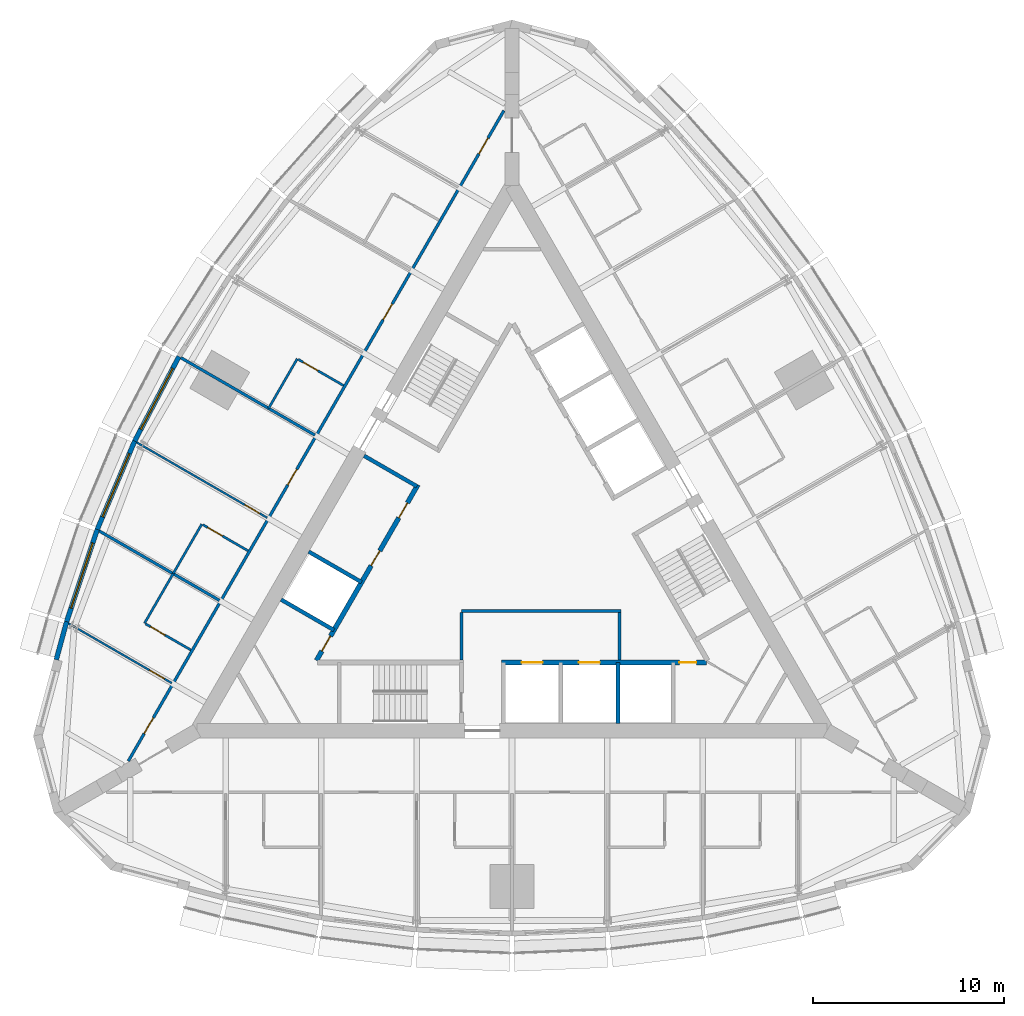
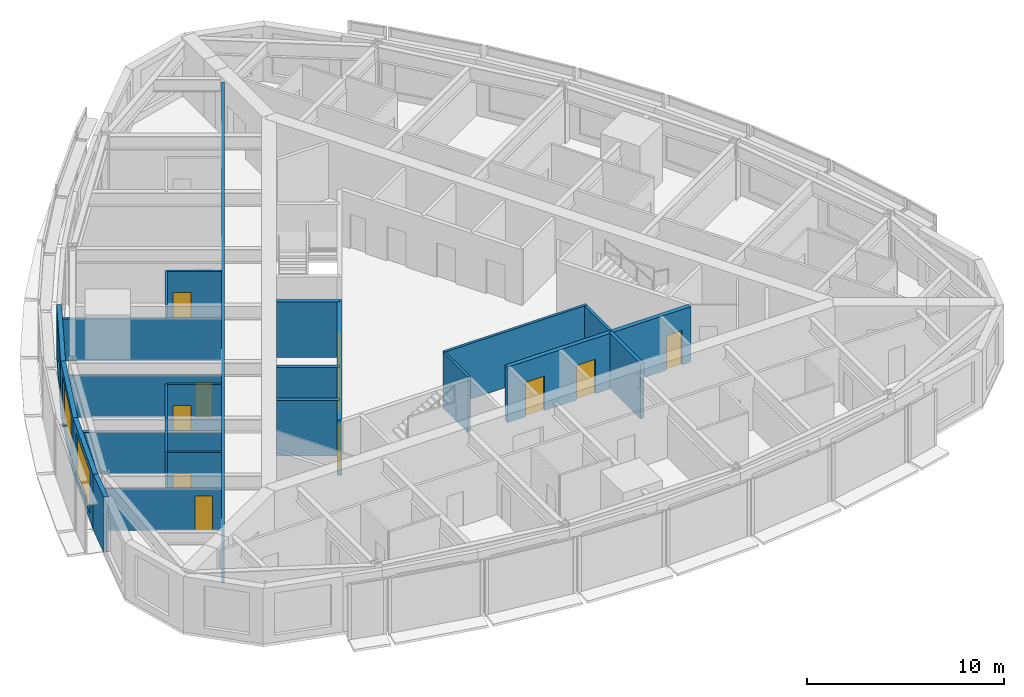
# One storey, part 10 of 15: 24 walls, 15 doors, 3 windows, 18 openings.
"""IFC4 building model written with IfcOpenShell, lengths in metres."""

import ifcopenshell
import ifcopenshell.guid

model = None  # the IFC model being written
_history = None  # IfcOwnerHistory: only IFC2X3 demands one
_inside = {}  # id of a spatial element -> (the spatial element, [elements in it])
_under = {}  # id of a project, library or spatial element -> (it, [spatial elements below it])
_declared = {}  # id of a project -> (the project, [libraries it declares])
_typed = {}  # id of a type object -> (the type object, [elements of that type])
_made_of = {}  # id of a material, layer set ... -> (it, [elements and type objects made of it])


def new_model(schema):
    """Start an empty IFC model of exactly this schema.

    Asked for "IFC4X3", IfcOpenShell would pick the latest addendum, in which some entities
    have other attributes; the version numbers below select the first issue.
    IFC2X3 requires an IfcOwnerHistory on every rooted entity: one is made here for all.
    """
    global model, _history
    if schema == "IFC4X3":
        model = ifcopenshell.file(schema_version=(4, 3, 0, 0))
    else:
        model = ifcopenshell.file(schema=schema)
    _inside.clear()
    _under.clear()
    _declared.clear()
    _typed.clear()
    _made_of.clear()
    _history = None
    if model.schema == "IFC2X3":
        org = make("IfcOrganization", Name="unknown")
        user = make(
            "IfcPersonAndOrganization",
            ThePerson=make("IfcPerson", FamilyName="unknown"),
            TheOrganization=org,
        )
        app = make(
            "IfcApplication",
            ApplicationDeveloper=org,
            Version="unknown",
            ApplicationFullName="unknown",
            ApplicationIdentifier="unknown",
        )
        _history = make(
            "IfcOwnerHistory",
            OwningUser=user,
            OwningApplication=app,
            ChangeAction="ADDED",
            CreationDate=0,
        )
    return model


def make(cls, **values):
    """One entity of the class cls with the attributes given. An attribute that is None is left unset."""
    return model.create_entity(
        cls, **{name: value for name, value in values.items() if value is not None}
    )


def rooted(cls, **values):
    """An entity with a GlobalId (a new one), such as an element, a storey or a relation."""
    return make(cls, GlobalId=ifcopenshell.guid.new(), OwnerHistory=_history, **values)


def si_unit(unit_type, name, prefix=None):
    """IfcSIUnit, for example si_unit("LENGTHUNIT", "METRE", prefix="MILLI")."""
    return make("IfcSIUnit", UnitType=unit_type, Prefix=prefix, Name=name)


def assignment(units):
    """IfcUnitAssignment: the units of a project."""
    return None if units is None else make("IfcUnitAssignment", Units=units)


def point(xyz):
    """IfcCartesianPoint."""
    return None if xyz is None else make("IfcCartesianPoint", Coordinates=xyz)


def direction(xyz):
    """IfcDirection."""
    return None if xyz is None else make("IfcDirection", DirectionRatios=xyz)


def frame(location, z_axis=None, x_axis=None):
    """IfcAxis2Placement3D, a coordinate frame: its origin and axes. An axis left out is left unset."""
    return make(
        "IfcAxis2Placement3D",
        Location=point(location),
        Axis=direction(z_axis),
        RefDirection=direction(x_axis),
    )


def frame_2d(location, x_axis=None):
    """IfcAxis2Placement2D, a coordinate frame in the plane: its origin and x axis."""
    return make(
        "IfcAxis2Placement2D", Location=point(location), RefDirection=direction(x_axis)
    )


def origin():
    """The frame at (0, 0, 0) with its axes left unset."""
    return frame((0.0, 0.0, 0.0))


def place(relative_to, where):
    """IfcLocalPlacement: puts the frame where relative to a parent placement (None: the world)."""
    return make(
        "IfcLocalPlacement", PlacementRelTo=relative_to, RelativePlacement=where
    )


def context(
    kind, dimensions, precision=None, world=None, true_north=None, identifier=None
):
    """IfcGeometricRepresentationContext, for example the 3D "Model" context."""
    return make(
        "IfcGeometricRepresentationContext",
        ContextIdentifier=identifier,
        ContextType=kind,
        CoordinateSpaceDimension=dimensions,
        Precision=precision,
        WorldCoordinateSystem=world,
        TrueNorth=true_north,
    )


def subcontext(parent, identifier, kind, view, scale=None):
    """IfcGeometricRepresentationSubContext, for example "Body" below "Model"."""
    return make(
        "IfcGeometricRepresentationSubContext",
        ContextIdentifier=identifier,
        ContextType=kind,
        ParentContext=parent,
        TargetScale=scale,
        TargetView=view,
    )


def project(units=None, contexts=None):
    """IfcProject with its units and contexts."""
    return rooted(
        "IfcProject",
        Name="project",
        RepresentationContexts=contexts,
        UnitsInContext=assignment(units),
    )


def spatial(cls, under=None, at=None, **own):
    """A site, building, storey or space (cls), placed at a placement, below another one or the project."""
    s = rooted(cls, ObjectPlacement=at, **own)
    if under is not None:
        _under.setdefault(under.id(), (under, []))[1].append(s)
    return s


def profile(cls, at=None, kind="AREA", **sizes):
    """A parametric profile (cls). Its sizes go by their IFC names, for example OverallWidth=200.0."""
    return make(cls, ProfileType=kind, Position=at, **sizes)


def rectangle(**sizes):
    """IfcRectangleProfileDef."""
    return profile("IfcRectangleProfileDef", **sizes)


def extrude(swept, where, along, depth):
    """IfcExtrudedAreaSolid: the profile swept, set in the frame where, extruded along a direction by depth."""
    return make(
        "IfcExtrudedAreaSolid",
        SweptArea=swept,
        Position=where,
        ExtrudedDirection=direction(along),
        Depth=depth,
    )


def shape(context_of_items, identifier, shape_type, items):
    """IfcShapeRepresentation: the items that make up one representation, for example the "Body"."""
    return make(
        "IfcShapeRepresentation",
        ContextOfItems=context_of_items,
        RepresentationIdentifier=identifier,
        RepresentationType=shape_type,
        Items=items,
    )


def material(Name=None, Category=None):
    """IfcMaterial."""
    return make("IfcMaterial", Name=Name, Category=Category)


def layer(
    of_material, thickness, ventilated=None, Name=None, Category=None, Priority=None
):
    """IfcMaterialLayer: one layer of a wall or slab, of a material (None: an air gap)."""
    return make(
        "IfcMaterialLayer",
        Material=of_material,
        LayerThickness=thickness,
        IsVentilated=ventilated,
        Name=Name,
        Category=Category,
        Priority=Priority,
    )


def layer_set(layers, Name=None):
    """IfcMaterialLayerSet."""
    return make("IfcMaterialLayerSet", MaterialLayers=layers, LayerSetName=Name)


def made_of(thing, what):
    """Note that an element or type object is made of a material, layer set ...; save() writes the relation."""
    if what is not None:
        _made_of.setdefault(what.id(), (what, []))[1].append(thing)
    return thing


def type_object(cls, material=None, **own):
    """A type object (cls), such as IfcWallType, which elements share."""
    return made_of(rooted(cls, **own), material)


def element(
    cls,
    number,
    at=None,
    inside=None,
    cuts=None,
    type_object=None,
    material=None,
    context=None,
    identifier="Body",
    shape_type=None,
    held_by="IfcProductDefinitionShape",
    body=None,
    shapes=None,
    **own,
):
    """One element of the class cls, such as IfcWall. Its Tag is "e" and its number.

    at: its placement. inside: the storey or other place that contains it. cuts: it is an
    opening in that element (IfcRelVoidsElement). A single representation is given by context,
    identifier, shape_type and body (its items); several are given by shapes. held_by: the class
    of the entity that holds the representations. save() writes the other relations.
    """
    e = rooted(cls, Tag="e%d" % number, ObjectPlacement=at, **own)
    if body is not None:
        shapes = [shape(context, identifier, shape_type, body)]
    if shapes is not None:
        e.Representation = make(held_by, Representations=shapes)
    if inside is not None:
        _inside.setdefault(inside.id(), (inside, []))[1].append(e)
    if cuts is not None:
        rooted(
            "IfcRelVoidsElement", RelatingBuildingElement=cuts, RelatedOpeningElement=e
        )
    if type_object is not None:
        _typed.setdefault(type_object.id(), (type_object, []))[1].append(e)
    return made_of(e, material)


def fill(opening, filler):
    """IfcRelFillsElement: the door or window that sits in an opening."""
    return rooted(
        "IfcRelFillsElement",
        RelatingOpeningElement=opening,
        RelatedBuildingElement=filler,
    )


def aggregate(whole, parts):
    """IfcRelAggregates: a whole, such as a stair, and the parts it consists of."""
    return rooted("IfcRelAggregates", RelatingObject=whole, RelatedObjects=parts)


def save(model, path):
    """Write the relations noted so far, then the file.

    IfcRelAggregates (storeys below a building ...), IfcRelContainedInSpatialStructure (elements
    in a storey), IfcRelDefinesByType, IfcRelAssociatesMaterial and IfcRelDeclares: one each for
    every whole, place, type object, material and project.
    """
    for whole, parts in _under.values():
        aggregate(whole, parts)
    for where, things in _inside.values():
        rooted(
            "IfcRelContainedInSpatialStructure",
            RelatedElements=things,
            RelatingStructure=where,
        )
    for kind, things in _typed.values():
        rooted("IfcRelDefinesByType", RelatedObjects=things, RelatingType=kind)
    for what, things in _made_of.values():
        rooted("IfcRelAssociatesMaterial", RelatedObjects=things, RelatingMaterial=what)
    for by, libraries in _declared.values():
        rooted("IfcRelDeclares", RelatingContext=by, RelatedDefinitions=libraries)
    model.write(path)


model = new_model("IFC4")

# Units and contexts
model_context = context("Model", 3, precision=1e-05, world=origin(), true_north=direction((0.0, 1.0)))
body_context = subcontext(model_context, "Body", "Model", "MODEL_VIEW")
ifc_project = project(units=[si_unit("LENGTHUNIT", "METRE"), si_unit("AREAUNIT", "SQUARE_METRE"), si_unit("VOLUMEUNIT", "CUBIC_METRE"), si_unit("PLANEANGLEUNIT", "RADIAN"), si_unit("MASSUNIT", "GRAM", prefix="KILO")], contexts=[model_context])

# Site, building, storey
site_placement = place(None, origin())
site = spatial("IfcSite", under=ifc_project, at=site_placement, CompositionType="ELEMENT")
building_placement = place(site_placement, origin())
building = spatial("IfcBuilding", under=site, at=building_placement, Name="Trikona Tower", CompositionType="ELEMENT")
storey_placement = place(building_placement, frame((0.0, 0.0, 222.5)))
storey = spatial("IfcBuildingStorey", under=building, at=storey_placement, Name="L59", CompositionType="ELEMENT", Elevation=222.5)

# Wall
ifc_material_1 = material(Name="Metal stud and cement board", Category="gypsum")
ifc_layer_1 = layer(ifc_material_1, 0.1201171875)
ifc_layer_set_1 = layer_set([ifc_layer_1], Name="Bathroom wall 120")
wall_type_1 = type_object("IfcWallType", Name="Bathroom wall 120", PredefinedType="PLUMBINGWALL", material=ifc_layer_set_1)
wall_1_placement = place(storey_placement, frame((-11.25341796875, 9.961181640625, 0.0), z_axis=(0.0, 0.0, 1.0), x_axis=(-0.499990139034, -0.866031096941, 0.0)))
element("IfcWall", 1, at=wall_1_placement, inside=storey, type_object=wall_type_1, Name="Bathroom wall 5910.1", PredefinedType="PLUMBINGWALL", context=body_context, shape_type="SweptSolid", body=[
    extrude(rectangle(XDim=3.0, YDim=0.1201171875, at=frame_2d((1.5, 0.0))), origin(), (0.0, 0.0, 1.0), 3.43505859375),
])

# Wall, opening, door
wall_2_placement = place(storey_placement, frame((-8.82861328125, 8.561279296875, 0.0), z_axis=(0.0, 0.0, 1.0), x_axis=(-0.866035715982, 0.499982138324, 0.0)))
wall_2 = element("IfcWall", 2, at=wall_2_placement, inside=storey, type_object=wall_type_1, Name="Bathroom wall 5910.1", PredefinedType="PLUMBINGWALL", context=body_context, shape_type="SweptSolid", body=[
    extrude(rectangle(XDim=2.73974609375, YDim=0.1201171875, at=frame_2d((1.369873046875, 0.0))), origin(), (0.0, 0.0, 1.0), 3.43505859375),
])
opening_1_placement = place(wall_2_placement, frame((1.550048828125, 0.0, 0.0)))
opening_1 = element("IfcOpeningElement", 3, at=opening_1_placement, cuts=wall_2, Name="Opening D2", PredefinedType="OPENING", context=body_context, shape_type="SweptSolid", body=[
    extrude(rectangle(XDim=0.89990234375, YDim=2.1298828125, at=frame_2d((0.449951171875, 1.06494140625))), frame((0.0, 0.070068359375, 0.0), z_axis=(0.0, -1.0, 0.0), x_axis=(1.0, 0.0, 0.0)), (0.0, 0.0, 1.0), 0.14013671875),
])
ifc_material_2 = material(Name="Steel door frame with solid-core timber leaf", Category="steel")
door_type_1 = type_object("IfcDoorType", Name="Bathroom door 900x2130", OperationType="SLIDING_TO_LEFT", PredefinedType="DOOR", material=ifc_material_2)
door_1_placement = place(opening_1_placement, origin())
door_1 = element("IfcDoor", 4, at=door_1_placement, inside=storey, type_object=door_type_1, Name="Bathroom door 5910.1", OperationType="SLIDING_TO_LEFT", OverallHeight=2.1298828125, OverallWidth=0.89990234375, PredefinedType="DOOR", context=body_context, shape_type="SweptSolid", body=[
    extrude(rectangle(XDim=0.89990234375, YDim=2.1298828125, at=frame_2d((0.449951171875, 1.06494140625))), frame((0.0, 0.02490234375, 0.0), z_axis=(0.0, -1.0, 0.0), x_axis=(1.0, 0.0, 0.0)), (0.0, 0.0, 1.0), 0.050048828125),
])
fill(opening_1, door_1)

# Wall
wall_3_placement = place(storey_placement, frame((-16.25341796875, 1.301025390625, 0.0), z_axis=(0.0, 0.0, 1.0), x_axis=(-0.499990139034, -0.866031096941, 0.0)))
element("IfcWall", 5, at=wall_3_placement, inside=storey, type_object=wall_type_1, Name="Bathroom wall 5911.1", PredefinedType="PLUMBINGWALL", context=body_context, shape_type="SweptSolid", body=[
    extrude(rectangle(XDim=3.0, YDim=0.1201171875, at=frame_2d((1.5, 0.0))), origin(), (0.0, 0.0, 1.0), 3.43505859375),
])

# Wall, opening, door
wall_4_placement = place(storey_placement, frame((-13.82861328125, -0.09912109375, 0.0), z_axis=(0.0, 0.0, 1.0), x_axis=(-0.865997131366, 0.500048966069, 0.0)))
wall_4 = element("IfcWall", 6, at=wall_4_placement, inside=storey, type_object=wall_type_1, Name="Bathroom wall 5911.1", PredefinedType="PLUMBINGWALL", context=body_context, shape_type="SweptSolid", body=[
    extrude(rectangle(XDim=2.739990234375, YDim=0.1201171875, at=frame_2d((1.3701171875, 0.0))), origin(), (0.0, 0.0, 1.0), 3.43505859375),
])
opening_2_placement = place(wall_4_placement, frame((1.550048828125, 0.0, 0.0)))
opening_2 = element("IfcOpeningElement", 7, at=opening_2_placement, cuts=wall_4, Name="Opening D2", PredefinedType="OPENING", context=body_context, shape_type="SweptSolid", body=[
    extrude(rectangle(XDim=0.89990234375, YDim=2.1298828125, at=frame_2d((0.449951171875, 1.06494140625))), frame((0.0, 0.070068359375, 0.0), z_axis=(0.0, -1.0, 0.0), x_axis=(1.0, 0.0, 0.0)), (0.0, 0.0, 1.0), 0.14013671875),
])
door_2_placement = place(opening_2_placement, origin())
door_2 = element("IfcDoor", 8, at=door_2_placement, inside=storey, type_object=door_type_1, Name="Bathroom door 5911.1", OperationType="SLIDING_TO_LEFT", OverallHeight=2.1298828125, OverallWidth=0.89990234375, PredefinedType="DOOR", context=body_context, shape_type="SweptSolid", body=[
    extrude(rectangle(XDim=0.89990234375, YDim=2.1298828125, at=frame_2d((0.449951171875, 1.06494140625))), frame((0.0, 0.02490234375, 0.0), z_axis=(0.0, -1.0, 0.0), x_axis=(1.0, 0.0, 0.0)), (0.0, 0.0, 1.0), 0.050048828125),
])
fill(opening_2, door_2)

# Wall
wall_5_placement = place(storey_placement, frame((-17.75341796875, -1.297119140625, 0.0), z_axis=(0.0, 0.0, 1.0), x_axis=(-0.499990139034, -0.866031096941, 0.0)))
element("IfcWall", 9, at=wall_5_placement, inside=storey, type_object=wall_type_1, Name="Bathroom wall 5912.1", PredefinedType="PLUMBINGWALL", context=body_context, shape_type="SweptSolid", body=[
    extrude(rectangle(XDim=3.0, YDim=0.1201171875, at=frame_2d((1.5, 0.0))), origin(), (0.0, 0.0, 1.0), 3.43505859375),
])

# Wall, opening, door
wall_6_placement = place(storey_placement, frame((-16.82861328125, -5.295166015625, 0.0), z_axis=(0.0, 0.0, 1.0), x_axis=(-0.866035715982, 0.499982138324, 0.0)))
wall_6 = element("IfcWall", 10, at=wall_6_placement, inside=storey, type_object=wall_type_1, Name="Bathroom wall 5912.1", PredefinedType="PLUMBINGWALL", context=body_context, shape_type="SweptSolid", body=[
    extrude(rectangle(XDim=2.73974609375, YDim=0.1201171875, at=frame_2d((1.369873046875, 0.0))), origin(), (0.0, 0.0, 1.0), 3.43505859375),
])
opening_3_placement = place(wall_6_placement, frame((1.550048828125, 0.0, 0.0)))
opening_3 = element("IfcOpeningElement", 11, at=opening_3_placement, cuts=wall_6, Name="Opening D2", PredefinedType="OPENING", context=body_context, shape_type="SweptSolid", body=[
    extrude(rectangle(XDim=0.89990234375, YDim=2.1298828125, at=frame_2d((0.449951171875, 1.06494140625))), frame((0.0, 0.070068359375, 0.0), z_axis=(0.0, -1.0, 0.0), x_axis=(1.0, 0.0, 0.0)), (0.0, 0.0, 1.0), 0.14013671875),
])
door_3_placement = place(opening_3_placement, origin())
door_3 = element("IfcDoor", 12, at=door_3_placement, inside=storey, type_object=door_type_1, Name="Bathroom door 5912.1", OperationType="SLIDING_TO_LEFT", OverallHeight=2.1298828125, OverallWidth=0.89990234375, PredefinedType="DOOR", context=body_context, shape_type="SweptSolid", body=[
    extrude(rectangle(XDim=0.89990234375, YDim=2.1298828125, at=frame_2d((0.449951171875, 1.06494140625))), frame((0.0, 0.02490234375, 0.0), z_axis=(0.0, -1.0, 0.0), x_axis=(1.0, 0.0, 0.0)), (0.0, 0.0, 1.0), 0.050048828125),
])
fill(opening_3, door_3)

# Wall, openings, doors
ifc_material_3 = material(Name="Metal stud and gypsum board, 1-hour", Category="gypsum")
ifc_layer_2 = layer(ifc_material_3, 0.14990234375)
ifc_layer_set_2 = layer_set([ifc_layer_2], Name="Corridor wall 150")
wall_type_2 = type_object("IfcWallType", Name="Corridor wall 150", PredefinedType="PARTITIONING", material=ifc_layer_set_2)
wall_7_placement = place(storey_placement, frame((-0.425048828125, 22.96630859375, 0.0), z_axis=(0.0, 0.0, 1.0), x_axis=(-0.500000265775, -0.866025250339, 0.0)))
wall_7 = element("IfcWall", 13, at=wall_7_placement, inside=storey, type_object=wall_type_2, Name="Corridor wall L59-3", PredefinedType="PARTITIONING", context=body_context, shape_type="SweptSolid", body=[
    extrude(rectangle(XDim=39.35400390625, YDim=0.14990234375, at=frame_2d((19.677001953125, 0.0))), origin(), (0.0, 0.0, 1.0), 3.43505859375),
])
opening_4_placement = place(wall_7_placement, frame((1.6650390625, 0.0, 0.0)))
opening_4 = element("IfcOpeningElement", 14, at=opening_4_placement, cuts=wall_7, Name="Opening D1", PredefinedType="OPENING", context=body_context, shape_type="SweptSolid", body=[
    extrude(rectangle(XDim=0.949951171875, YDim=2.1298828125, at=frame_2d((0.47509765625, 1.06494140625))), frame((0.0, 0.0849609375, 0.0), z_axis=(0.0, -1.0, 0.0), x_axis=(1.0, 0.0, 0.0)), (0.0, 0.0, 1.0), 0.169921875),
])
opening_5_placement = place(wall_7_placement, frame((11.701904296875, 0.0, 0.0)))
opening_5 = element("IfcOpeningElement", 15, at=opening_5_placement, cuts=wall_7, Name="Opening D1", PredefinedType="OPENING", context=body_context, shape_type="SweptSolid", body=[
    extrude(rectangle(XDim=0.949951171875, YDim=2.1298828125, at=frame_2d((0.47509765625, 1.06494140625))), frame((0.0, 0.0849609375, 0.0), z_axis=(0.0, -1.0, 0.0), x_axis=(1.0, 0.0, 0.0)), (0.0, 0.0, 1.0), 0.169921875),
])
opening_6_placement = place(wall_7_placement, frame((21.701904296875, 0.0, 0.0)))
opening_6 = element("IfcOpeningElement", 16, at=opening_6_placement, cuts=wall_7, Name="Opening D1", PredefinedType="OPENING", context=body_context, shape_type="SweptSolid", body=[
    extrude(rectangle(XDim=0.949951171875, YDim=2.1298828125, at=frame_2d((0.47509765625, 1.06494140625))), frame((0.0, 0.0849609375, 0.0), z_axis=(0.0, -1.0, 0.0), x_axis=(1.0, 0.0, 0.0)), (0.0, 0.0, 1.0), 0.169921875),
])
opening_7_placement = place(wall_7_placement, frame((36.739013671875, 0.0, 0.0)))
opening_7 = element("IfcOpeningElement", 17, at=opening_7_placement, cuts=wall_7, Name="Opening D1", PredefinedType="OPENING", context=body_context, shape_type="SweptSolid", body=[
    extrude(rectangle(XDim=0.949951171875, YDim=2.1298828125, at=frame_2d((0.47509765625, 1.06494140625))), frame((0.0, 0.0849609375, 0.0), z_axis=(0.0, -1.0, 0.0), x_axis=(1.0, 0.0, 0.0)), (0.0, 0.0, 1.0), 0.169921875),
])
ifc_material_4 = material(Name="Steel door frame with solid-core timber leaf", Category="steel")
door_type_2 = type_object("IfcDoorType", Name="Guest room door 950x2130", OperationType="SINGLE_SWING_LEFT", PredefinedType="DOOR", material=ifc_material_4)
door_4_placement = place(opening_4_placement, origin())
door_4 = element("IfcDoor", 18, at=door_4_placement, inside=storey, type_object=door_type_2, Name="Room door 5909", OperationType="SINGLE_SWING_LEFT", OverallHeight=2.1298828125, OverallWidth=0.949951171875, PredefinedType="DOOR", context=body_context, shape_type="SweptSolid", body=[
    extrude(rectangle(XDim=0.949951171875, YDim=2.1298828125, at=frame_2d((0.47509765625, 1.06494140625))), frame((0.0, 0.02490234375, 0.0), z_axis=(0.0, -1.0, 0.0), x_axis=(1.0, 0.0, 0.0)), (0.0, 0.0, 1.0), 0.050048828125),
])
fill(opening_4, door_4)
door_5_placement = place(opening_5_placement, origin())
door_5 = element("IfcDoor", 19, at=door_5_placement, inside=storey, type_object=door_type_2, Name="Room door 5910", OperationType="SINGLE_SWING_RIGHT", OverallHeight=2.1298828125, OverallWidth=0.949951171875, PredefinedType="DOOR", context=body_context, shape_type="SweptSolid", body=[
    extrude(rectangle(XDim=0.949951171875, YDim=2.1298828125, at=frame_2d((0.47509765625, 1.06494140625))), frame((0.0, 0.02490234375, 0.0), z_axis=(0.0, -1.0, 0.0), x_axis=(1.0, 0.0, 0.0)), (0.0, 0.0, 1.0), 0.050048828125),
])
fill(opening_5, door_5)
door_6_placement = place(opening_6_placement, origin())
door_6 = element("IfcDoor", 20, at=door_6_placement, inside=storey, type_object=door_type_2, Name="Room door 5911", OperationType="SINGLE_SWING_LEFT", OverallHeight=2.1298828125, OverallWidth=0.949951171875, PredefinedType="DOOR", context=body_context, shape_type="SweptSolid", body=[
    extrude(rectangle(XDim=0.949951171875, YDim=2.1298828125, at=frame_2d((0.47509765625, 1.06494140625))), frame((0.0, 0.02490234375, 0.0), z_axis=(0.0, -1.0, 0.0), x_axis=(1.0, 0.0, 0.0)), (0.0, 0.0, 1.0), 0.050048828125),
])
fill(opening_6, door_6)
door_7_placement = place(opening_7_placement, origin())
door_7 = element("IfcDoor", 21, at=door_7_placement, inside=storey, type_object=door_type_2, Name="Room door 5912", OperationType="SINGLE_SWING_RIGHT", OverallHeight=2.1298828125, OverallWidth=0.949951171875, PredefinedType="DOOR", context=body_context, shape_type="SweptSolid", body=[
    extrude(rectangle(XDim=0.949951171875, YDim=2.1298828125, at=frame_2d((0.47509765625, 1.06494140625))), frame((0.0, 0.02490234375, 0.0), z_axis=(0.0, -1.0, 0.0), x_axis=(1.0, 0.0, 0.0)), (0.0, 0.0, 1.0), 0.050048828125),
])
fill(opening_7, door_7)

ifc_material_5 = material(Name="Concrete f'c 8000 psi", Category="concrete")
ifc_layer_3 = layer(ifc_material_5, 0.25)
ifc_layer_set_3 = layer_set([ifc_layer_3], Name="Hub wall 250")
wall_type_3 = type_object("IfcWallType", Name="Hub wall 250", PredefinedType="SOLIDWALL", material=ifc_layer_set_3)
wall_8_placement = place(storey_placement, frame((-0.550048828125, -5.951416015625, 0.0), z_axis=(0.0, 0.0, 1.0), x_axis=(1.0, 0.0, 0.0)))
wall_8 = element("IfcWall", 22, at=wall_8_placement, inside=storey, type_object=wall_type_3, Name="Lift lobby wall A2", PredefinedType="SOLIDWALL", context=body_context, shape_type="SweptSolid", body=[
    extrude(rectangle(XDim=10.73291015625, YDim=0.25, at=frame_2d((5.366455078125, 0.0))), origin(), (0.0, 0.0, 1.0), 3.43505859375),
])
opening_8_placement = place(wall_8_placement, frame((9.31396484375, 0.0, 0.0)))
opening_8 = element("IfcOpeningElement", 23, at=opening_8_placement, cuts=wall_8, Name="Opening D14", PredefinedType="OPENING", context=body_context, shape_type="SweptSolid", body=[
    extrude(rectangle(XDim=0.89990234375, YDim=2.1298828125, at=frame_2d((0.449951171875, 1.06494140625))), frame((0.0, 0.135009765625, 0.0), z_axis=(0.0, -1.0, 0.0), x_axis=(1.0, 0.0, 0.0)), (0.0, 0.0, 1.0), 0.27001953125),
])
opening_9_placement = place(wall_8_placement, frame((1.050048828125, 0.0, 0.0)))
opening_9 = element("IfcOpeningElement", 24, at=opening_9_placement, cuts=wall_8, Name="Opening LD", PredefinedType="OPENING", context=body_context, shape_type="SweptSolid", body=[
    extrude(rectangle(XDim=1.10009765625, YDim=2.1298828125, at=frame_2d((0.550048828125, 1.06494140625))), frame((0.0, 0.135009765625, 0.0), z_axis=(0.0, -1.0, 0.0), x_axis=(1.0, 0.0, 0.0)), (0.0, 0.0, 1.0), 0.27001953125),
])
opening_10_placement = place(wall_8_placement, frame((4.050048828125, 0.0, 0.0)))
opening_10 = element("IfcOpeningElement", 25, at=opening_10_placement, cuts=wall_8, Name="Opening LD", PredefinedType="OPENING", context=body_context, shape_type="SweptSolid", body=[
    extrude(rectangle(XDim=1.10009765625, YDim=2.1298828125, at=frame_2d((0.550048828125, 1.06494140625))), frame((0.0, 0.135009765625, 0.0), z_axis=(0.0, -1.0, 0.0), x_axis=(1.0, 0.0, 0.0)), (0.0, 0.0, 1.0), 0.27001953125),
])
ifc_material_6 = material(Name="Stainless steel lift landing door", Category="steel")
door_type_3 = type_object("IfcDoorType", Name="Lift landing door 1100x2130", OperationType="DOUBLE_DOOR_SLIDING", PredefinedType="USERDEFINED", material=ifc_material_6)
door_8_placement = place(opening_9_placement, origin())
door_8 = element("IfcDoor", 26, at=door_8_placement, inside=storey, type_object=door_type_3, Name="Lift landing door FF1", ObjectType="LIFT LANDING DOOR", OperationType="DOUBLE_DOOR_SLIDING", OverallHeight=2.1298828125, OverallWidth=1.10009765625, PredefinedType="USERDEFINED", context=body_context, shape_type="SweptSolid", body=[
    extrude(rectangle(XDim=1.10009765625, YDim=2.1298828125, at=frame_2d((0.550048828125, 1.06494140625))), frame((0.0, 0.02490234375, 0.0), z_axis=(0.0, -1.0, 0.0), x_axis=(1.0, 0.0, 0.0)), (0.0, 0.0, 1.0), 0.050048828125),
])
fill(opening_9, door_8)
door_9_placement = place(opening_10_placement, origin())
door_9 = element("IfcDoor", 27, at=door_9_placement, inside=storey, type_object=door_type_3, Name="Lift landing door FF2", ObjectType="LIFT LANDING DOOR", OperationType="DOUBLE_DOOR_SLIDING", OverallHeight=2.1298828125, OverallWidth=1.10009765625, PredefinedType="USERDEFINED", context=body_context, shape_type="SweptSolid", body=[
    extrude(rectangle(XDim=1.10009765625, YDim=2.1298828125, at=frame_2d((0.550048828125, 1.06494140625))), frame((0.0, 0.02490234375, 0.0), z_axis=(0.0, -1.0, 0.0), x_axis=(1.0, 0.0, 0.0)), (0.0, 0.0, 1.0), 0.050048828125),
])
fill(opening_10, door_9)
ifc_material_7 = material(Name="Hollow metal door and frame", Category="steel")
door_type_4 = type_object("IfcDoorType", Name="Service room door 900x2130", OperationType="SINGLE_SWING_LEFT", PredefinedType="DOOR", material=ifc_material_7)
door_10_placement = place(opening_8_placement, origin())
door_10 = element("IfcDoor", 28, at=door_10_placement, inside=storey, type_object=door_type_4, Name="Door Linen store LIN", OperationType="SINGLE_SWING_RIGHT", OverallHeight=2.1298828125, OverallWidth=0.89990234375, PredefinedType="DOOR", context=body_context, shape_type="SweptSolid", body=[
    extrude(rectangle(XDim=0.89990234375, YDim=2.1298828125, at=frame_2d((0.449951171875, 1.06494140625))), frame((0.0, 0.02490234375, 0.0), z_axis=(0.0, -1.0, 0.0), x_axis=(1.0, 0.0, 0.0)), (0.0, 0.0, 1.0), 0.050048828125),
])
fill(opening_8, door_10)

wall_9_placement = place(storey_placement, frame((-4.928955078125, 3.365478515625, 0.0), z_axis=(0.0, 0.0, 1.0), x_axis=(-0.499991433582, -0.866030349552, 0.0)))
wall_9 = element("IfcWall", 29, at=wall_9_placement, inside=storey, type_object=wall_type_3, Name="Lift lobby wall C2", PredefinedType="SOLIDWALL", context=body_context, shape_type="SweptSolid", body=[
    extrude(rectangle(XDim=10.633056640625, YDim=0.25, at=frame_2d((5.31640625, 0.0))), origin(), (0.0, 0.0, 1.0), 3.43505859375),
])
opening_11_placement = place(wall_9_placement, frame((9.1640625, 0.0, 0.0)))
opening_11 = element("IfcOpeningElement", 30, at=opening_11_placement, cuts=wall_9, Name="Opening D14", PredefinedType="OPENING", context=body_context, shape_type="SweptSolid", body=[
    extrude(rectangle(XDim=0.89990234375, YDim=2.1298828125, at=frame_2d((0.449951171875, 1.06494140625))), frame((0.0, 0.135009765625, 0.0), z_axis=(0.0, -1.0, 0.0), x_axis=(1.0, 0.0, 0.0)), (0.0, 0.0, 1.0), 0.27001953125),
])
opening_12_placement = place(wall_9_placement, frame((1.10009765625, 0.0, 0.0)))
opening_12 = element("IfcOpeningElement", 31, at=opening_12_placement, cuts=wall_9, Name="Opening D14", PredefinedType="OPENING", context=body_context, shape_type="SweptSolid", body=[
    extrude(rectangle(XDim=0.89990234375, YDim=2.1298828125, at=frame_2d((0.449951171875, 1.06494140625))), frame((0.0, 0.135009765625, 0.0), z_axis=(0.0, -1.0, 0.0), x_axis=(1.0, 0.0, 0.0)), (0.0, 0.0, 1.0), 0.27001953125),
])
opening_13_placement = place(wall_9_placement, frame((4.0, 0.0, 0.0)))
opening_13 = element("IfcOpeningElement", 32, at=opening_13_placement, cuts=wall_9, Name="Opening D14", PredefinedType="OPENING", context=body_context, shape_type="SweptSolid", body=[
    extrude(rectangle(XDim=0.89990234375, YDim=2.1298828125, at=frame_2d((0.449951171875, 1.06494140625))), frame((0.0, 0.135009765625, 0.0), z_axis=(0.0, -1.0, 0.0), x_axis=(1.0, 0.0, 0.0)), (0.0, 0.0, 1.0), 0.27001953125),
])
door_11_placement = place(opening_11_placement, origin())
door_11 = element("IfcDoor", 33, at=door_11_placement, inside=storey, type_object=door_type_4, Name="Door Ice and vending ICE", OperationType="SINGLE_SWING_RIGHT", OverallHeight=2.1298828125, OverallWidth=0.89990234375, PredefinedType="DOOR", context=body_context, shape_type="SweptSolid", body=[
    extrude(rectangle(XDim=0.89990234375, YDim=2.1298828125, at=frame_2d((0.449951171875, 1.06494140625))), frame((0.0, 0.02490234375, 0.0), z_axis=(0.0, -1.0, 0.0), x_axis=(1.0, 0.0, 0.0)), (0.0, 0.0, 1.0), 0.050048828125),
])
fill(opening_11, door_11)
door_12_placement = place(opening_12_placement, origin())
door_12 = element("IfcDoor", 34, at=door_12_placement, inside=storey, type_object=door_type_4, Name="Door Storage STO1", OperationType="SINGLE_SWING_LEFT", OverallHeight=2.1298828125, OverallWidth=0.89990234375, PredefinedType="DOOR", context=body_context, shape_type="SweptSolid", body=[
    extrude(rectangle(XDim=0.89990234375, YDim=2.1298828125, at=frame_2d((0.449951171875, 1.06494140625))), frame((0.0, 0.02490234375, 0.0), z_axis=(0.0, -1.0, 0.0), x_axis=(1.0, 0.0, 0.0)), (0.0, 0.0, 1.0), 0.050048828125),
])
fill(opening_12, door_12)
door_13_placement = place(opening_13_placement, origin())
door_13 = element("IfcDoor", 35, at=door_13_placement, inside=storey, type_object=door_type_4, Name="Door Storage STO1", OperationType="SINGLE_SWING_RIGHT", OverallHeight=2.1298828125, OverallWidth=0.89990234375, PredefinedType="DOOR", context=body_context, shape_type="SweptSolid", body=[
    extrude(rectangle(XDim=0.89990234375, YDim=2.1298828125, at=frame_2d((0.449951171875, 1.06494140625))), frame((0.0, 0.02490234375, 0.0), z_axis=(0.0, -1.0, 0.0), x_axis=(1.0, 0.0, 0.0)), (0.0, 0.0, 1.0), 0.050048828125),
])
fill(opening_13, door_13)

# Wall, opening, window
ifc_material_8 = material(Name="Insulated precast concrete spandrel panel", Category="concrete")
ifc_layer_4 = layer(ifc_material_8, 0.25)
ifc_layer_set_4 = layer_set([ifc_layer_4], Name="Inner skin wall 250")
wall_type_4 = type_object("IfcWallType", Name="Inner skin wall 250", PredefinedType="STANDARD", material=ifc_layer_set_4)
wall_10_placement = place(storey_placement, frame((-17.450439453125, 10.080810546875, 0.0), z_axis=(0.0, 0.0, 1.0), x_axis=(-0.463976002579, -0.885847768542, 0.0)))
wall_10 = element("IfcWall", 36, at=wall_10_placement, inside=storey, type_object=wall_type_4, Name="External wall L59-28", PredefinedType="STANDARD", context=body_context, shape_type="SweptSolid", body=[
    extrude(rectangle(XDim=5.004150390625, YDim=0.25, at=frame_2d((2.501953125, 0.0))), origin(), (0.0, 0.0, 1.0), 3.43505859375),
])
opening_14_placement = place(wall_10_placement, frame((0.7021484375, 0.0, 0.449951171875)))
opening_14 = element("IfcOpeningElement", 37, at=opening_14_placement, cuts=wall_10, Name="Opening W3626", PredefinedType="OPENING", context=body_context, shape_type="SweptSolid", body=[
    extrude(rectangle(XDim=3.60009765625, YDim=2.60009765625, at=frame_2d((1.800048828125, 1.300048828125))), frame((0.0, 0.135009765625, 0.0), z_axis=(0.0, -1.0, 0.0), x_axis=(1.0, 0.0, 0.0)), (0.0, 0.0, 1.0), 0.27001953125),
])
ifc_material_9 = material(Name="Aluminium-framed double glazing", Category="aluminium")
window_type = type_object("IfcWindowType", Name="Window 3600x2600", PartitioningType="SINGLE_PANEL", PredefinedType="WINDOW", material=ifc_material_9)
window_1_placement = place(opening_14_placement, origin())
window_1 = element("IfcWindow", 38, at=window_1_placement, inside=storey, type_object=window_type, Name="Window 5911", OverallHeight=2.60009765625, OverallWidth=3.60009765625, PartitioningType="SINGLE_PANEL", PredefinedType="WINDOW", context=body_context, shape_type="SweptSolid", body=[
    extrude(rectangle(XDim=3.60009765625, YDim=2.60009765625, at=frame_2d((1.800048828125, 1.300048828125))), frame((0.0, 0.030029296875, 0.0), z_axis=(0.0, -1.0, 0.0), x_axis=(1.0, 0.0, 0.0)), (0.0, 0.0, 1.0), 0.06005859375),
])
fill(opening_14, window_1)

wall_11_placement = place(storey_placement, frame((-19.767578125, 5.656982421875, 0.0), z_axis=(0.0, 0.0, 1.0), x_axis=(-0.390096809471, -0.920773848044, 0.0)))
wall_11 = element("IfcWall", 39, at=wall_11_placement, inside=storey, type_object=wall_type_4, Name="External wall L59-29", PredefinedType="STANDARD", context=body_context, shape_type="SweptSolid", body=[
    extrude(rectangle(XDim=5.0380859375, YDim=0.25, at=frame_2d((2.51904296875, 0.0))), origin(), (0.0, 0.0, 1.0), 3.43505859375),
])
opening_15_placement = place(wall_11_placement, frame((0.718994140625, 0.0, 0.449951171875)))
opening_15 = element("IfcOpeningElement", 40, at=opening_15_placement, cuts=wall_11, Name="Opening W3626", PredefinedType="OPENING", context=body_context, shape_type="SweptSolid", body=[
    extrude(rectangle(XDim=3.60009765625, YDim=2.60009765625, at=frame_2d((1.800048828125, 1.300048828125))), frame((0.0, 0.135009765625, 0.0), z_axis=(0.0, -1.0, 0.0), x_axis=(1.0, 0.0, 0.0)), (0.0, 0.0, 1.0), 0.27001953125),
])
window_2_placement = place(opening_15_placement, origin())
window_2 = element("IfcWindow", 41, at=window_2_placement, inside=storey, type_object=window_type, Name="Window 5911.1", OverallHeight=2.60009765625, OverallWidth=3.60009765625, PartitioningType="SINGLE_PANEL", PredefinedType="WINDOW", context=body_context, shape_type="SweptSolid", body=[
    extrude(rectangle(XDim=3.60009765625, YDim=2.60009765625, at=frame_2d((1.800048828125, 1.300048828125))), frame((0.0, 0.030029296875, 0.0), z_axis=(0.0, -1.0, 0.0), x_axis=(1.0, 0.0, 0.0)), (0.0, 0.0, 1.0), 0.06005859375),
])
fill(opening_15, window_2)

wall_12_placement = place(storey_placement, frame((-21.729248046875, 1.027587890625, 0.0), z_axis=(0.0, 0.0, 1.0), x_axis=(-0.315108478109, -0.949055660656, 0.0)))
wall_12 = element("IfcWall", 42, at=wall_12_placement, inside=storey, type_object=wall_type_4, Name="External wall L59-30", PredefinedType="STANDARD", context=body_context, shape_type="SweptSolid", body=[
    extrude(rectangle(XDim=5.10498046875, YDim=0.25, at=frame_2d((2.552490234375, 0.0))), origin(), (0.0, 0.0, 1.0), 3.43505859375),
])
opening_16_placement = place(wall_12_placement, frame((0.75244140625, 0.0, 0.449951171875)))
opening_16 = element("IfcOpeningElement", 43, at=opening_16_placement, cuts=wall_12, Name="Opening W3626", PredefinedType="OPENING", context=body_context, shape_type="SweptSolid", body=[
    extrude(rectangle(XDim=3.60009765625, YDim=2.60009765625, at=frame_2d((1.800048828125, 1.300048828125))), frame((0.0, 0.135009765625, 0.0), z_axis=(0.0, -1.0, 0.0), x_axis=(1.0, 0.0, 0.0)), (0.0, 0.0, 1.0), 0.27001953125),
])
window_3_placement = place(opening_16_placement, origin())
window_3 = element("IfcWindow", 44, at=window_3_placement, inside=storey, type_object=window_type, Name="Window 5912.1", OverallHeight=2.60009765625, OverallWidth=3.60009765625, PartitioningType="SINGLE_PANEL", PredefinedType="WINDOW", context=body_context, shape_type="SweptSolid", body=[
    extrude(rectangle(XDim=3.60009765625, YDim=2.60009765625, at=frame_2d((1.800048828125, 1.300048828125))), frame((0.0, 0.030029296875, 0.0), z_axis=(0.0, -1.0, 0.0), x_axis=(1.0, 0.0, 0.0)), (0.0, 0.0, 1.0), 0.06005859375),
])
fill(opening_16, window_3)

# Walls
wall_13_placement = place(storey_placement, frame((-23.335693359375, -3.810791015625, 0.0), z_axis=(0.0, 0.0, 1.0), x_axis=(-0.262867703986, -0.964831887015, 0.0)))
element("IfcWall", 45, at=wall_13_placement, inside=storey, type_object=wall_type_4, Name="External wall L59-31", PredefinedType="STANDARD", context=body_context, shape_type="SweptSolid", body=[
    extrude(rectangle(XDim=2.068359375, YDim=0.25, at=frame_2d((1.0341796875, 0.0))), origin(), (0.0, 0.0, 1.0), 3.43505859375),
])
ifc_material_10 = material(Name="Metal stud and gypsum board, 2-hour shaft wall", Category="gypsum")
ifc_layer_5 = layer(ifc_material_10, 0.14990234375)
ifc_layer_set_5 = layer_set([ifc_layer_5], Name="Lobby wall 150")
wall_type_5 = type_object("IfcWallType", Name="Lobby wall 150", PredefinedType="PARTITIONING", material=ifc_layer_set_5)
wall_14_placement = place(storey_placement, frame((-2.64990234375, -3.251220703125, 0.0), z_axis=(0.0, 0.0, 1.0), x_axis=(1.0, 0.0, 0.0)))
element("IfcWall", 46, at=wall_14_placement, inside=storey, type_object=wall_type_5, Name="Fire service lift lobby wall 1", PredefinedType="PARTITIONING", context=body_context, shape_type="SweptSolid", body=[
    extrude(rectangle(XDim=8.349853515625, YDim=0.14990234375, at=frame_2d((4.1748046875, 0.0))), origin(), (0.0, 0.0, 1.0), 3.43505859375),
])
for number, where, z_axis, x_axis, name in (
    (47, (-2.64990234375, -5.826416015625, 0.0), (0.0, 0.0, 1.0), (0.0, 1.0, 0.0), "Fire service lift lobby wall 2"),
    (48, (5.625, -5.826416015625, 0.0), (0.0, 0.0, 1.0), (0.0, 1.0, 0.0), "Fire service lift lobby wall 3"),
):
    element("IfcWall", number, at=place(storey_placement, frame(where, z_axis=z_axis, x_axis=x_axis)), inside=storey, type_object=wall_type_5, Name=name, PredefinedType="PARTITIONING", context=body_context, shape_type="SweptSolid", body=[
        extrude(rectangle(XDim=2.5, YDim=0.14990234375, at=frame_2d((1.25, 0.0))), origin(), (0.0, 0.0, 1.0), 3.43505859375),
    ])
ifc_material_11 = material(Name="Metal stud and gypsum board, 1-hour acoustic", Category="gypsum")
ifc_layer_6 = layer(ifc_material_11, 0.14990234375)
ifc_layer_set_6 = layer_set([ifc_layer_6], Name="Party wall 150")
wall_type_6 = type_object("IfcWallType", Name="Party wall 150", PredefinedType="PARTITIONING", material=ifc_layer_set_6)
wall_15_placement = place(storey_placement, frame((-10.32861328125, 5.963134765625, 0.0), z_axis=(0.0, 0.0, 1.0), x_axis=(-0.866016460812, 0.500015489362, 0.0)))
element("IfcWall", 49, at=wall_15_placement, inside=storey, type_object=wall_type_6, Name="Partition L59 F3 u0", PredefinedType="PARTITIONING", context=body_context, shape_type="SweptSolid", body=[
    extrude(rectangle(XDim=8.101318359375, YDim=0.14990234375, at=frame_2d((4.05078125, 0.0))), origin(), (0.0, 0.0, 1.0), 2.589111328125),
])
wall_16_placement = place(storey_placement, frame((-15.32861328125, -2.697021484375, 0.0), z_axis=(0.0, 0.0, 1.0), x_axis=(-0.866032413668, 0.499987858329, 0.0)))
element("IfcWall", 50, at=wall_16_placement, inside=storey, type_object=wall_type_6, Name="Partition L59 F3 u10", PredefinedType="PARTITIONING", context=body_context, shape_type="SweptSolid", body=[
    extrude(rectangle(XDim=7.272705078125, YDim=0.14990234375, at=frame_2d((3.63623046875, 0.0))), origin(), (0.0, 0.0, 1.0), 2.589111328125),
])
ifc_material_12 = material(Name="Concrete f'c 8000 psi", Category="concrete")
ifc_layer_7 = layer(ifc_material_12, 0.199951171875)
ifc_layer_set_7 = layer_set([ifc_layer_7], Name="Shaft wall 200")
wall_type_7 = type_object("IfcWallType", Name="Shaft wall 200", PredefinedType="SOLIDWALL", material=ifc_layer_set_7)
for number, where, z_axis, x_axis, name in (
    (51, (5.550048828125, -5.951416015625, 0.0), (0.0, 0.0, 1.0), (0.0, -1.0, 0.0), "Shaft wall A5"),
    (52, (-4.97900390625, 3.27880859375, 0.0), (0.0, 0.0, 1.0), (-0.866042017984, 0.499971222258, 0.0), "Shaft wall C3"),
    (53, (-7.87890625, -1.744140625, 0.0), (0.0, 0.0, 1.0), (-0.866042017984, 0.499971222258, 0.0), "Shaft wall C5"),
):
    element("IfcWall", number, at=place(storey_placement, frame(where, z_axis=z_axis, x_axis=x_axis)), inside=storey, type_object=wall_type_7, Name=name, PredefinedType="SOLIDWALL", context=body_context, shape_type="SweptSolid", body=[
        extrude(rectangle(XDim=3.199951171875, YDim=0.199951171875, at=frame_2d((1.60009765625, 0.0))), origin(), (0.0, 0.0, 1.0), 3.43505859375),
    ])
wall_17_placement = place(storey_placement, frame((-9.3291015625, -4.255615234375, 0.0), z_axis=(0.0, 0.0, 1.0), x_axis=(-0.866022944154, 0.50000426018, 0.0)))
element("IfcWall", 54, at=wall_17_placement, inside=storey, type_object=wall_type_7, Name="Shaft wall C6", PredefinedType="SOLIDWALL", context=body_context, shape_type="SweptSolid", body=[
    extrude(rectangle(XDim=3.19970703125, YDim=0.199951171875, at=frame_2d((1.599853515625, 0.0))), origin(), (0.0, 0.0, 1.0), 3.43505859375),
])

# Wall, opening, door
ifc_material_13 = material(Name="Metal stud and gypsum board, acoustic", Category="gypsum")
ifc_layer_8 = layer(ifc_material_13, 0.10009765625)
ifc_layer_set_8 = layer_set([ifc_layer_8], Name="Suite partition 100")
wall_type_8 = type_object("IfcWallType", Name="Suite partition 100", PredefinedType="PARTITIONING", material=ifc_layer_set_8)
wall_18_placement = place(storey_placement, frame((-12.82861328125, 1.633056640625, 0.0), z_axis=(0.0, 0.0, 1.0), x_axis=(-0.866030558329, 0.49999107196, 0.0)))
wall_18 = element("IfcWall", 55, at=wall_18_placement, inside=storey, type_object=wall_type_8, Name="Suite partition L59 F3 u5", PredefinedType="PARTITIONING", context=body_context, shape_type="SweptSolid", body=[
    extrude(rectangle(XDim=7.893798828125, YDim=0.10009765625, at=frame_2d((3.94677734375, 0.0))), origin(), (0.0, 0.0, 1.0), 2.589111328125),
])
opening_17_placement = place(wall_18_placement, frame((0.449951171875, 0.0, 0.0)))
opening_17 = element("IfcOpeningElement", 56, at=opening_17_placement, cuts=wall_18, Name="Opening D13", PredefinedType="OPENING", context=body_context, shape_type="SweptSolid", body=[
    extrude(rectangle(XDim=0.89990234375, YDim=2.1298828125, at=frame_2d((0.449951171875, 1.06494140625))), frame((0.0, 0.06005859375, 0.0), z_axis=(0.0, -1.0, 0.0), x_axis=(1.0, 0.0, 0.0)), (0.0, 0.0, 1.0), 0.1201171875),
])
ifc_material_14 = material(Name="Steel door frame with solid-core timber leaf", Category="steel")
door_type_5 = type_object("IfcDoorType", Name="Suite door 900x2130", OperationType="SINGLE_SWING_LEFT", PredefinedType="DOOR", material=ifc_material_14)
door_14_placement = place(opening_17_placement, origin())
door_14 = element("IfcDoor", 57, at=door_14_placement, inside=storey, type_object=door_type_5, Name="Suite door 5911", OperationType="SINGLE_SWING_LEFT", OverallHeight=2.1298828125, OverallWidth=0.89990234375, PredefinedType="DOOR", context=body_context, shape_type="SweptSolid", body=[
    extrude(rectangle(XDim=0.89990234375, YDim=2.1298828125, at=frame_2d((0.449951171875, 1.06494140625))), frame((0.0, 0.02490234375, 0.0), z_axis=(0.0, -1.0, 0.0), x_axis=(1.0, 0.0, 0.0)), (0.0, 0.0, 1.0), 0.050048828125),
])
fill(opening_17, door_14)

wall_19_placement = place(storey_placement, frame((-17.82861328125, -7.027099609375, 0.0), z_axis=(0.0, 0.0, 1.0), x_axis=(-0.866026604282, 0.499997920671, 0.0)))
wall_19 = element("IfcWall", 58, at=wall_19_placement, inside=storey, type_object=wall_type_8, Name="Suite partition L59 F3 u15", PredefinedType="PARTITIONING", context=body_context, shape_type="SweptSolid", body=[
    extrude(rectangle(XDim=6.23974609375, YDim=0.10009765625, at=frame_2d((3.119873046875, 0.0))), origin(), (0.0, 0.0, 1.0), 2.589111328125),
])
opening_18_placement = place(wall_19_placement, frame((0.449951171875, 0.0, 0.0)))
opening_18 = element("IfcOpeningElement", 59, at=opening_18_placement, cuts=wall_19, Name="Opening D13", PredefinedType="OPENING", context=body_context, shape_type="SweptSolid", body=[
    extrude(rectangle(XDim=0.89990234375, YDim=2.1298828125, at=frame_2d((0.449951171875, 1.06494140625))), frame((0.0, 0.06005859375, 0.0), z_axis=(0.0, -1.0, 0.0), x_axis=(1.0, 0.0, 0.0)), (0.0, 0.0, 1.0), 0.1201171875),
])
door_15_placement = place(opening_18_placement, origin())
door_15 = element("IfcDoor", 60, at=door_15_placement, inside=storey, type_object=door_type_5, Name="Suite door 5912", OperationType="SINGLE_SWING_LEFT", OverallHeight=2.1298828125, OverallWidth=0.89990234375, PredefinedType="DOOR", context=body_context, shape_type="SweptSolid", body=[
    extrude(rectangle(XDim=0.89990234375, YDim=2.1298828125, at=frame_2d((0.449951171875, 1.06494140625))), frame((0.0, 0.02490234375, 0.0), z_axis=(0.0, -1.0, 0.0), x_axis=(1.0, 0.0, 0.0)), (0.0, 0.0, 1.0), 0.050048828125),
])
fill(opening_18, door_15)

save(model, "model.ifc")
